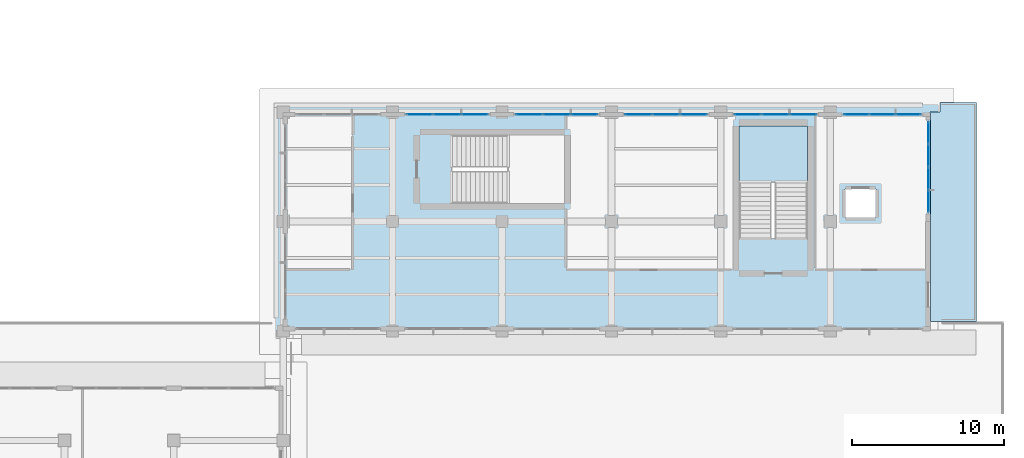
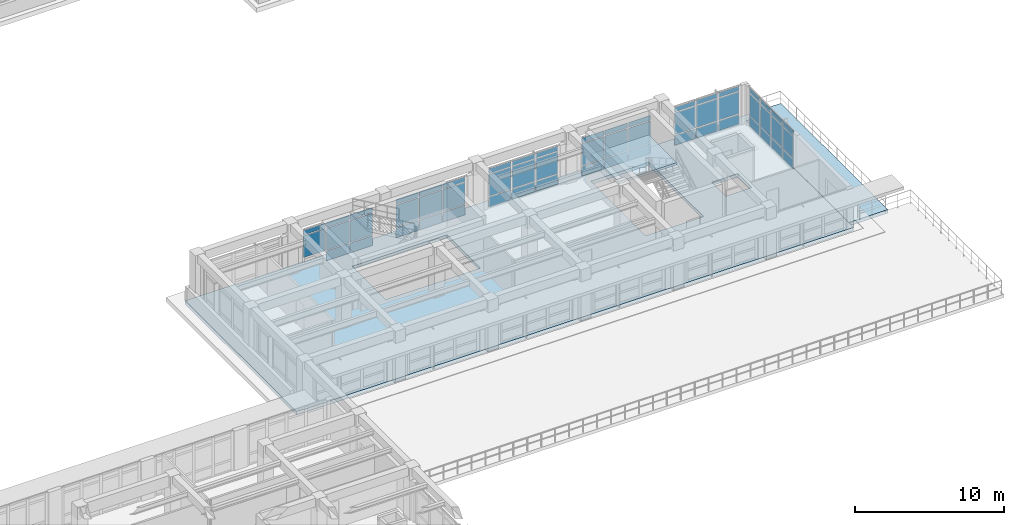
# One storey, part 40 of 67: 56 plates, 3 slabs, 7 elements without a shape of their own.
"""IFC4 building model written with IfcOpenShell, lengths in metres."""

from ifc_helpers import new_model, si_unit, direction, frame, origin, origin_2d, place, context, subcontext, project, spatial, polyline, rectangle, outline, extrude, material, layer, layer_set, type_object, element, aggregate, save


model = new_model("IFC4")

# Units and contexts
model_context = context("Model", 3, precision=1e-05, world=origin(), true_north=direction((0.0, 1.0)))
body_context = subcontext(model_context, "Body", "Model", "MODEL_VIEW")
ifc_project = project(units=[si_unit("LENGTHUNIT", "METRE"), si_unit("AREAUNIT", "SQUARE_METRE"), si_unit("VOLUMEUNIT", "CUBIC_METRE"), si_unit("PLANEANGLEUNIT", "RADIAN"), si_unit("MASSUNIT", "GRAM", prefix="KILO")], contexts=[model_context])

# Site, building, storey
site_placement = place(None, origin())
site = spatial("IfcSite", under=ifc_project, at=site_placement, CompositionType="ELEMENT")
building_placement = place(site_placement, origin())
building = spatial("IfcBuilding", under=site, at=building_placement, Name="Solenvale Faculty of Natural Sciences", CompositionType="ELEMENT")
storey_placement = place(building_placement, frame((0.0, 0.0, 13.5)))
storey = spatial("IfcBuildingStorey", under=building, at=storey_placement, Name="L03", CompositionType="ELEMENT", Elevation=13.5)

# Curtain wall, plates
ifc_material_1 = material(Name="Anodised bronze aluminium", Category="aluminium")
ifc_layer_1 = layer(ifc_material_1, 0.199951171875)
ifc_layer_set_1 = layer_set([ifc_layer_1], Name="Anodised bronze aluminium")
curtain_wall_type = type_object("IfcCurtainWallType", Name="CW-COM-FIN", PredefinedType="USERDEFINED", material=ifc_layer_set_1)
curtain_wall_1_placement = place(storey_placement, origin())
curtain_wall_1 = element("IfcCurtainWall", 1, at=curtain_wall_1_placement, inside=storey, type_object=curtain_wall_type, Name="L03 Curtain Wall CW-L03-P2-E2-B2", ObjectType="UNITISED CURTAIN WALL", PredefinedType="USERDEFINED")
ifc_material_2 = material(Name="North-light skylight glass", Category="glass")
ifc_layer_2 = layer(ifc_material_2, 0.028076171875)
ifc_layer_set_2 = layer_set([ifc_layer_2], Name="North-light skylight glass")
plate_type_1 = type_object("IfcPlateType", Name="CWP-PNL-28", PredefinedType="CURTAIN_PANEL", material=ifc_layer_set_2)
plate_1_placement = place(storey_placement, frame((157.657470703125, 51.753662109375, 0.074951171875), z_axis=(0.0, 0.0, 1.0), x_axis=(0.0, 1.0, 0.0)))
plate_1 = element("IfcPlate", 2, at=plate_1_placement, type_object=plate_type_1, Name="CW-03 panel 1.1", PredefinedType="CURTAIN_PANEL", context=body_context, shape_type="SweptSolid", body=[
    extrude(rectangle(XDim=1.3974609375, YDim=0.028076171875, at=origin_2d()), origin(), (0.0, 0.0, 1.0), 0.78759765625),
])
plate_2_placement = place(storey_placement, frame((157.657470703125, 51.753662109375, 0.9375), z_axis=(0.0, 0.0, 1.0), x_axis=(0.0, 1.0, 0.0)))
plate_2 = element("IfcPlate", 3, at=plate_2_placement, type_object=plate_type_1, Name="CW-03 panel 1.2", PredefinedType="CURTAIN_PANEL", context=body_context, shape_type="SweptSolid", body=[
    extrude(rectangle(XDim=1.3974609375, YDim=0.028076171875, at=origin_2d()), origin(), (0.0, 0.0, 1.0), 1.784912109375),
])
plate_3_placement = place(storey_placement, frame((157.657470703125, 51.753662109375, 2.79736328125), z_axis=(0.0, 0.0, 1.0), x_axis=(0.0, 1.0, 0.0)))
plate_3 = element("IfcPlate", 4, at=plate_3_placement, type_object=plate_type_1, Name="CW-03 panel 1.3", PredefinedType="CURTAIN_PANEL", context=body_context, shape_type="SweptSolid", body=[
    extrude(rectangle(XDim=1.3974609375, YDim=0.028076171875, at=origin_2d()), origin(), (0.0, 0.0, 1.0), 0.387451171875),
])
plate_4_placement = place(storey_placement, frame((157.657470703125, 53.2451171875, 0.074951171875), z_axis=(0.0, 0.0, 1.0), x_axis=(0.0, 1.0, 0.0)))
plate_4 = element("IfcPlate", 5, at=plate_4_placement, type_object=plate_type_1, Name="CW-03 panel 2.1", PredefinedType="CURTAIN_PANEL", context=body_context, shape_type="SweptSolid", body=[
    extrude(rectangle(XDim=1.43505859375, YDim=0.028076171875, at=origin_2d()), origin(), (0.0, 0.0, 1.0), 0.78759765625),
])
plate_5_placement = place(storey_placement, frame((157.657470703125, 53.2451171875, 0.9375), z_axis=(0.0, 0.0, 1.0), x_axis=(0.0, 1.0, 0.0)))
plate_5 = element("IfcPlate", 6, at=plate_5_placement, type_object=plate_type_1, Name="CW-03 panel 2.2", PredefinedType="CURTAIN_PANEL", context=body_context, shape_type="SweptSolid", body=[
    extrude(rectangle(XDim=1.43505859375, YDim=0.028076171875, at=origin_2d()), origin(), (0.0, 0.0, 1.0), 1.784912109375),
])
plate_6_placement = place(storey_placement, frame((157.657470703125, 53.2451171875, 2.79736328125), z_axis=(0.0, 0.0, 1.0), x_axis=(0.0, 1.0, 0.0)))
plate_6 = element("IfcPlate", 7, at=plate_6_placement, type_object=plate_type_1, Name="CW-03 panel 2.3", PredefinedType="CURTAIN_PANEL", context=body_context, shape_type="SweptSolid", body=[
    extrude(rectangle(XDim=1.43505859375, YDim=0.028076171875, at=origin_2d()), origin(), (0.0, 0.0, 1.0), 0.387451171875),
])
plate_7_placement = place(storey_placement, frame((157.657470703125, 54.7548828125, 0.074951171875), z_axis=(0.0, 0.0, 1.0), x_axis=(0.0, 1.0, 0.0)))
plate_7 = element("IfcPlate", 8, at=plate_7_placement, type_object=plate_type_1, Name="CW-03 panel 3.1", PredefinedType="CURTAIN_PANEL", context=body_context, shape_type="SweptSolid", body=[
    extrude(rectangle(XDim=1.43505859375, YDim=0.028076171875, at=origin_2d()), origin(), (0.0, 0.0, 1.0), 0.78759765625),
])
plate_8_placement = place(storey_placement, frame((157.657470703125, 54.7548828125, 0.9375), z_axis=(0.0, 0.0, 1.0), x_axis=(0.0, 1.0, 0.0)))
plate_8 = element("IfcPlate", 9, at=plate_8_placement, type_object=plate_type_1, Name="CW-03 panel 3.2", PredefinedType="CURTAIN_PANEL", context=body_context, shape_type="SweptSolid", body=[
    extrude(rectangle(XDim=1.43505859375, YDim=0.028076171875, at=origin_2d()), origin(), (0.0, 0.0, 1.0), 1.784912109375),
])
plate_9_placement = place(storey_placement, frame((157.657470703125, 54.7548828125, 2.79736328125), z_axis=(0.0, 0.0, 1.0), x_axis=(0.0, 1.0, 0.0)))
plate_9 = element("IfcPlate", 10, at=plate_9_placement, type_object=plate_type_1, Name="CW-03 panel 3.3", PredefinedType="CURTAIN_PANEL", context=body_context, shape_type="SweptSolid", body=[
    extrude(rectangle(XDim=1.43505859375, YDim=0.028076171875, at=origin_2d()), origin(), (0.0, 0.0, 1.0), 0.387451171875),
])
plate_10_placement = place(storey_placement, frame((157.657470703125, 56.246337890625, 0.074951171875), z_axis=(0.0, 0.0, 1.0), x_axis=(0.0, 1.0, 0.0)))
plate_10 = element("IfcPlate", 11, at=plate_10_placement, type_object=plate_type_1, Name="CW-03 panel 4.1", PredefinedType="CURTAIN_PANEL", context=body_context, shape_type="SweptSolid", body=[
    extrude(rectangle(XDim=1.3974609375, YDim=0.028076171875, at=origin_2d()), origin(), (0.0, 0.0, 1.0), 0.78759765625),
])
plate_11_placement = place(storey_placement, frame((157.657470703125, 56.246337890625, 0.9375), z_axis=(0.0, 0.0, 1.0), x_axis=(0.0, 1.0, 0.0)))
plate_11 = element("IfcPlate", 12, at=plate_11_placement, type_object=plate_type_1, Name="CW-03 panel 4.2", PredefinedType="CURTAIN_PANEL", context=body_context, shape_type="SweptSolid", body=[
    extrude(rectangle(XDim=1.3974609375, YDim=0.028076171875, at=origin_2d()), origin(), (0.0, 0.0, 1.0), 1.784912109375),
])
plate_12_placement = place(storey_placement, frame((157.657470703125, 56.246337890625, 2.79736328125), z_axis=(0.0, 0.0, 1.0), x_axis=(0.0, 1.0, 0.0)))
plate_12 = element("IfcPlate", 13, at=plate_12_placement, type_object=plate_type_1, Name="CW-03 panel 4.3", PredefinedType="CURTAIN_PANEL", context=body_context, shape_type="SweptSolid", body=[
    extrude(rectangle(XDim=1.3974609375, YDim=0.028076171875, at=origin_2d()), origin(), (0.0, 0.0, 1.0), 0.387451171875),
])
aggregate(curtain_wall_1, [plate_1, plate_2, plate_3, plate_4, plate_5, plate_6, plate_7, plate_8, plate_9, plate_10, plate_11, plate_12])

curtain_wall_2_placement = place(storey_placement, origin())
curtain_wall_2 = element("IfcCurtainWall", 14, at=curtain_wall_2_placement, inside=storey, type_object=curtain_wall_type, Name="L03 Curtain Wall CW-L03-P2-E3-B1", ObjectType="UNITISED CURTAIN WALL", PredefinedType="USERDEFINED")
plate_13_placement = place(storey_placement, frame((156.339599609375, 57.45751953125, 0.074951171875), z_axis=(0.0, 0.0, 1.0), x_axis=(-1.0, 0.0, 0.0)))
plate_13 = element("IfcPlate", 15, at=plate_13_placement, type_object=plate_type_1, Name="CW-03 panel 1.1", PredefinedType="CURTAIN_PANEL", context=body_context, shape_type="SweptSolid", body=[
    extrude(rectangle(XDim=1.61083984375, YDim=0.028076171875, at=origin_2d()), origin(), (0.0, 0.0, 1.0), 0.78759765625),
])
plate_14_placement = place(storey_placement, frame((156.339599609375, 57.45751953125, 0.9375), z_axis=(0.0, 0.0, 1.0), x_axis=(-1.0, 0.0, 0.0)))
plate_14 = element("IfcPlate", 16, at=plate_14_placement, type_object=plate_type_1, Name="CW-03 panel 1.2", PredefinedType="CURTAIN_PANEL", context=body_context, shape_type="SweptSolid", body=[
    extrude(rectangle(XDim=1.61083984375, YDim=0.028076171875, at=origin_2d()), origin(), (0.0, 0.0, 1.0), 1.784912109375),
])
plate_15_placement = place(storey_placement, frame((156.339599609375, 57.45751953125, 2.79736328125), z_axis=(0.0, 0.0, 1.0), x_axis=(-1.0, 0.0, 0.0)))
plate_15 = element("IfcPlate", 17, at=plate_15_placement, type_object=plate_type_1, Name="CW-03 panel 1.3", PredefinedType="CURTAIN_PANEL", context=body_context, shape_type="SweptSolid", body=[
    extrude(rectangle(XDim=1.61083984375, YDim=0.028076171875, at=origin_2d()), origin(), (0.0, 0.0, 1.0), 0.387451171875),
])
plate_16_placement = place(storey_placement, frame((154.635009765625, 57.45751953125, 0.074951171875), z_axis=(0.0, 0.0, 1.0), x_axis=(-1.0, 0.0, 0.0)))
plate_16 = element("IfcPlate", 18, at=plate_16_placement, type_object=plate_type_1, Name="CW-03 panel 2.1", PredefinedType="CURTAIN_PANEL", context=body_context, shape_type="SweptSolid", body=[
    extrude(rectangle(XDim=1.6484375, YDim=0.028076171875, at=origin_2d()), origin(), (0.0, 0.0, 1.0), 0.78759765625),
])
plate_17_placement = place(storey_placement, frame((154.635009765625, 57.45751953125, 0.9375), z_axis=(0.0, 0.0, 1.0), x_axis=(-1.0, 0.0, 0.0)))
plate_17 = element("IfcPlate", 19, at=plate_17_placement, type_object=plate_type_1, Name="CW-03 panel 2.2", PredefinedType="CURTAIN_PANEL", context=body_context, shape_type="SweptSolid", body=[
    extrude(rectangle(XDim=1.6484375, YDim=0.028076171875, at=origin_2d()), origin(), (0.0, 0.0, 1.0), 1.784912109375),
])
plate_18_placement = place(storey_placement, frame((154.635009765625, 57.45751953125, 2.79736328125), z_axis=(0.0, 0.0, 1.0), x_axis=(-1.0, 0.0, 0.0)))
plate_18 = element("IfcPlate", 20, at=plate_18_placement, type_object=plate_type_1, Name="CW-03 panel 2.3", PredefinedType="CURTAIN_PANEL", context=body_context, shape_type="SweptSolid", body=[
    extrude(rectangle(XDim=1.6484375, YDim=0.028076171875, at=origin_2d()), origin(), (0.0, 0.0, 1.0), 0.387451171875),
])
plate_19_placement = place(storey_placement, frame((152.930419921875, 57.45751953125, 0.074951171875), z_axis=(0.0, 0.0, 1.0), x_axis=(-1.0, 0.0, 0.0)))
plate_19 = element("IfcPlate", 21, at=plate_19_placement, type_object=plate_type_1, Name="CW-03 panel 3.1", PredefinedType="CURTAIN_PANEL", context=body_context, shape_type="SweptSolid", body=[
    extrude(rectangle(XDim=1.61083984375, YDim=0.028076171875, at=origin_2d()), origin(), (0.0, 0.0, 1.0), 0.78759765625),
])
plate_20_placement = place(storey_placement, frame((152.930419921875, 57.45751953125, 0.9375), z_axis=(0.0, 0.0, 1.0), x_axis=(-1.0, 0.0, 0.0)))
plate_20 = element("IfcPlate", 22, at=plate_20_placement, type_object=plate_type_1, Name="CW-03 panel 3.2", PredefinedType="CURTAIN_PANEL", context=body_context, shape_type="SweptSolid", body=[
    extrude(rectangle(XDim=1.61083984375, YDim=0.028076171875, at=origin_2d()), origin(), (0.0, 0.0, 1.0), 1.784912109375),
])
plate_21_placement = place(storey_placement, frame((152.930419921875, 57.45751953125, 2.79736328125), z_axis=(0.0, 0.0, 1.0), x_axis=(-1.0, 0.0, 0.0)))
plate_21 = element("IfcPlate", 23, at=plate_21_placement, type_object=plate_type_1, Name="CW-03 panel 3.3", PredefinedType="CURTAIN_PANEL", context=body_context, shape_type="SweptSolid", body=[
    extrude(rectangle(XDim=1.61083984375, YDim=0.028076171875, at=origin_2d()), origin(), (0.0, 0.0, 1.0), 0.387451171875),
])
aggregate(curtain_wall_2, [plate_13, plate_14, plate_15, plate_16, plate_17, plate_18, plate_19, plate_20, plate_21])

curtain_wall_3_placement = place(storey_placement, origin())
curtain_wall_3 = element("IfcCurtainWall", 24, at=curtain_wall_3_placement, inside=storey, type_object=curtain_wall_type, Name="L03 Curtain Wall CW-L03-P2-E3-B2", ObjectType="UNITISED CURTAIN WALL", PredefinedType="USERDEFINED")
ifc_material_3 = material(Name="Triple low-E insulated glass", Category="glass")
ifc_layer_3 = layer(ifc_material_3, 0.031982421875)
ifc_layer_set_3 = layer_set([ifc_layer_3], Name="Triple low-E insulated glass")
plate_type_2 = type_object("IfcPlateType", Name="CWP-PNL-32", PredefinedType="CURTAIN_PANEL", material=ifc_layer_set_3)
plate_22_placement = place(storey_placement, frame((149.41455078125, 57.45751953125, 0.074951171875), z_axis=(0.0, 0.0, 1.0), x_axis=(-1.0, 0.0, 0.0)))
plate_22 = element("IfcPlate", 25, at=plate_22_placement, type_object=plate_type_2, Name="CW-03 panel 1.1", PredefinedType="CURTAIN_PANEL", context=body_context, shape_type="SweptSolid", body=[
    extrude(rectangle(XDim=1.720947265625, YDim=0.031982421875, at=origin_2d()), origin(), (0.0, 0.0, 1.0), 0.78759765625),
])
plate_23_placement = place(storey_placement, frame((149.41455078125, 57.45751953125, 0.9375), z_axis=(0.0, 0.0, 1.0), x_axis=(-1.0, 0.0, 0.0)))
plate_23 = element("IfcPlate", 26, at=plate_23_placement, type_object=plate_type_2, Name="CW-03 panel 1.2", PredefinedType="CURTAIN_PANEL", context=body_context, shape_type="SweptSolid", body=[
    extrude(rectangle(XDim=1.720947265625, YDim=0.031982421875, at=origin_2d()), origin(), (0.0, 0.0, 1.0), 1.784912109375),
])
plate_24_placement = place(storey_placement, frame((149.41455078125, 57.45751953125, 2.79736328125), z_axis=(0.0, 0.0, 1.0), x_axis=(-1.0, 0.0, 0.0)))
plate_24 = element("IfcPlate", 27, at=plate_24_placement, type_object=plate_type_2, Name="CW-03 panel 1.3", PredefinedType="CURTAIN_PANEL", context=body_context, shape_type="SweptSolid", body=[
    extrude(rectangle(XDim=1.720947265625, YDim=0.031982421875, at=origin_2d()), origin(), (0.0, 0.0, 1.0), 0.387451171875),
])
plate_25_placement = place(storey_placement, frame((147.60009765625, 57.45751953125, 0.074951171875), z_axis=(0.0, 0.0, 1.0), x_axis=(-1.0, 0.0, 0.0)))
plate_25 = element("IfcPlate", 28, at=plate_25_placement, type_object=plate_type_2, Name="CW-03 panel 2.1", PredefinedType="CURTAIN_PANEL", context=body_context, shape_type="SweptSolid", body=[
    extrude(rectangle(XDim=1.75830078125, YDim=0.031982421875, at=origin_2d()), origin(), (0.0, 0.0, 1.0), 0.78759765625),
])
plate_26_placement = place(storey_placement, frame((147.60009765625, 57.45751953125, 0.9375), z_axis=(0.0, 0.0, 1.0), x_axis=(-1.0, 0.0, 0.0)))
plate_26 = element("IfcPlate", 29, at=plate_26_placement, type_object=plate_type_2, Name="CW-03 panel 2.2", PredefinedType="CURTAIN_PANEL", context=body_context, shape_type="SweptSolid", body=[
    extrude(rectangle(XDim=1.75830078125, YDim=0.031982421875, at=origin_2d()), origin(), (0.0, 0.0, 1.0), 1.784912109375),
])
plate_27_placement = place(storey_placement, frame((147.60009765625, 57.45751953125, 2.79736328125), z_axis=(0.0, 0.0, 1.0), x_axis=(-1.0, 0.0, 0.0)))
plate_27 = element("IfcPlate", 30, at=plate_27_placement, type_object=plate_type_2, Name="CW-03 panel 2.3", PredefinedType="CURTAIN_PANEL", context=body_context, shape_type="SweptSolid", body=[
    extrude(rectangle(XDim=1.75830078125, YDim=0.031982421875, at=origin_2d()), origin(), (0.0, 0.0, 1.0), 0.387451171875),
])
plate_28_placement = place(storey_placement, frame((145.785400390625, 57.45751953125, 0.074951171875), z_axis=(0.0, 0.0, 1.0), x_axis=(-1.0, 0.0, 0.0)))
plate_28 = element("IfcPlate", 31, at=plate_28_placement, type_object=plate_type_2, Name="CW-03 panel 3.1", PredefinedType="CURTAIN_PANEL", context=body_context, shape_type="SweptSolid", body=[
    extrude(rectangle(XDim=1.720947265625, YDim=0.031982421875, at=origin_2d()), origin(), (0.0, 0.0, 1.0), 0.78759765625),
])
plate_29_placement = place(storey_placement, frame((145.785400390625, 57.45751953125, 0.9375), z_axis=(0.0, 0.0, 1.0), x_axis=(-1.0, 0.0, 0.0)))
plate_29 = element("IfcPlate", 32, at=plate_29_placement, type_object=plate_type_2, Name="CW-03 panel 3.2", PredefinedType="CURTAIN_PANEL", context=body_context, shape_type="SweptSolid", body=[
    extrude(rectangle(XDim=1.720947265625, YDim=0.031982421875, at=origin_2d()), origin(), (0.0, 0.0, 1.0), 1.784912109375),
])
plate_30_placement = place(storey_placement, frame((145.785400390625, 57.45751953125, 2.79736328125), z_axis=(0.0, 0.0, 1.0), x_axis=(-1.0, 0.0, 0.0)))
plate_30 = element("IfcPlate", 33, at=plate_30_placement, type_object=plate_type_2, Name="CW-03 panel 3.3", PredefinedType="CURTAIN_PANEL", context=body_context, shape_type="SweptSolid", body=[
    extrude(rectangle(XDim=1.720947265625, YDim=0.031982421875, at=origin_2d()), origin(), (0.0, 0.0, 1.0), 0.387451171875),
])
aggregate(curtain_wall_3, [plate_22, plate_23, plate_24, plate_25, plate_26, plate_27, plate_28, plate_29, plate_30])

curtain_wall_4_placement = place(storey_placement, origin())
curtain_wall_4 = element("IfcCurtainWall", 34, at=curtain_wall_4_placement, inside=storey, type_object=curtain_wall_type, Name="L03 Curtain Wall CW-L03-P2-E3-B3", ObjectType="UNITISED CURTAIN WALL", PredefinedType="USERDEFINED")
ifc_layer_4 = layer(ifc_material_3, 0.035888671875)
ifc_layer_set_4 = layer_set([ifc_layer_4], Name="Triple low-E insulated glass")
plate_type_3 = type_object("IfcPlateType", Name="CWP-PNL-36", PredefinedType="CURTAIN_PANEL", material=ifc_layer_set_4)
plate_31_placement = place(storey_placement, frame((142.214599609375, 57.45751953125, 0.074951171875), z_axis=(0.0, 0.0, 1.0), x_axis=(-1.0, 0.0, 0.0)))
plate_31 = element("IfcPlate", 35, at=plate_31_placement, type_object=plate_type_3, Name="CW-03 panel 1.1", PredefinedType="CURTAIN_PANEL", context=body_context, shape_type="SweptSolid", body=[
    extrude(rectangle(XDim=1.720947265625, YDim=0.035888671875, at=origin_2d()), origin(), (0.0, 0.0, 1.0), 0.78759765625),
])
plate_32_placement = place(storey_placement, frame((142.214599609375, 57.45751953125, 0.9375), z_axis=(0.0, 0.0, 1.0), x_axis=(-1.0, 0.0, 0.0)))
plate_32 = element("IfcPlate", 36, at=plate_32_placement, type_object=plate_type_3, Name="CW-03 panel 1.2", PredefinedType="CURTAIN_PANEL", context=body_context, shape_type="SweptSolid", body=[
    extrude(rectangle(XDim=1.720947265625, YDim=0.035888671875, at=origin_2d()), origin(), (0.0, 0.0, 1.0), 1.784912109375),
])
plate_33_placement = place(storey_placement, frame((142.214599609375, 57.45751953125, 2.79736328125), z_axis=(0.0, 0.0, 1.0), x_axis=(-1.0, 0.0, 0.0)))
plate_33 = element("IfcPlate", 37, at=plate_33_placement, type_object=plate_type_3, Name="CW-03 panel 1.3", PredefinedType="CURTAIN_PANEL", context=body_context, shape_type="SweptSolid", body=[
    extrude(rectangle(XDim=1.720947265625, YDim=0.035888671875, at=origin_2d()), origin(), (0.0, 0.0, 1.0), 0.387451171875),
])
plate_34_placement = place(storey_placement, frame((140.39990234375, 57.45751953125, 0.074951171875), z_axis=(0.0, 0.0, 1.0), x_axis=(-1.0, 0.0, 0.0)))
plate_34 = element("IfcPlate", 38, at=plate_34_placement, type_object=plate_type_3, Name="CW-03 panel 2.1", PredefinedType="CURTAIN_PANEL", context=body_context, shape_type="SweptSolid", body=[
    extrude(rectangle(XDim=1.75830078125, YDim=0.035888671875, at=origin_2d()), origin(), (0.0, 0.0, 1.0), 0.78759765625),
])
plate_35_placement = place(storey_placement, frame((140.39990234375, 57.45751953125, 0.9375), z_axis=(0.0, 0.0, 1.0), x_axis=(-1.0, 0.0, 0.0)))
plate_35 = element("IfcPlate", 39, at=plate_35_placement, type_object=plate_type_3, Name="CW-03 panel 2.2", PredefinedType="CURTAIN_PANEL", context=body_context, shape_type="SweptSolid", body=[
    extrude(rectangle(XDim=1.75830078125, YDim=0.035888671875, at=origin_2d()), origin(), (0.0, 0.0, 1.0), 1.784912109375),
])
plate_36_placement = place(storey_placement, frame((140.39990234375, 57.45751953125, 2.79736328125), z_axis=(0.0, 0.0, 1.0), x_axis=(-1.0, 0.0, 0.0)))
plate_36 = element("IfcPlate", 40, at=plate_36_placement, type_object=plate_type_3, Name="CW-03 panel 2.3", PredefinedType="CURTAIN_PANEL", context=body_context, shape_type="SweptSolid", body=[
    extrude(rectangle(XDim=1.75830078125, YDim=0.035888671875, at=origin_2d()), origin(), (0.0, 0.0, 1.0), 0.387451171875),
])
plate_37_placement = place(storey_placement, frame((138.58544921875, 57.45751953125, 0.074951171875), z_axis=(0.0, 0.0, 1.0), x_axis=(-1.0, 0.0, 0.0)))
plate_37 = element("IfcPlate", 41, at=plate_37_placement, type_object=plate_type_3, Name="CW-03 panel 3.1", PredefinedType="CURTAIN_PANEL", context=body_context, shape_type="SweptSolid", body=[
    extrude(rectangle(XDim=1.720947265625, YDim=0.035888671875, at=origin_2d()), origin(), (0.0, 0.0, 1.0), 0.78759765625),
])
plate_38_placement = place(storey_placement, frame((138.58544921875, 57.45751953125, 0.9375), z_axis=(0.0, 0.0, 1.0), x_axis=(-1.0, 0.0, 0.0)))
plate_38 = element("IfcPlate", 42, at=plate_38_placement, type_object=plate_type_3, Name="CW-03 panel 3.2", PredefinedType="CURTAIN_PANEL", context=body_context, shape_type="SweptSolid", body=[
    extrude(rectangle(XDim=1.720947265625, YDim=0.035888671875, at=origin_2d()), origin(), (0.0, 0.0, 1.0), 1.784912109375),
])
plate_39_placement = place(storey_placement, frame((138.58544921875, 57.45751953125, 2.79736328125), z_axis=(0.0, 0.0, 1.0), x_axis=(-1.0, 0.0, 0.0)))
plate_39 = element("IfcPlate", 43, at=plate_39_placement, type_object=plate_type_3, Name="CW-03 panel 3.3", PredefinedType="CURTAIN_PANEL", context=body_context, shape_type="SweptSolid", body=[
    extrude(rectangle(XDim=1.720947265625, YDim=0.035888671875, at=origin_2d()), origin(), (0.0, 0.0, 1.0), 0.387451171875),
])
aggregate(curtain_wall_4, [plate_31, plate_32, plate_33, plate_34, plate_35, plate_36, plate_37, plate_38, plate_39])

curtain_wall_5_placement = place(storey_placement, origin())
curtain_wall_5 = element("IfcCurtainWall", 44, at=curtain_wall_5_placement, inside=storey, type_object=curtain_wall_type, Name="L03 Curtain Wall CW-L03-P2-E3-B4", ObjectType="UNITISED CURTAIN WALL", PredefinedType="USERDEFINED")
ifc_layer_5 = layer(ifc_material_3, 0.0400390625)
ifc_layer_set_5 = layer_set([ifc_layer_5], Name="Triple low-E insulated glass")
plate_type_4 = type_object("IfcPlateType", Name="CWP-PNL-40", PredefinedType="CURTAIN_PANEL", material=ifc_layer_set_5)
plate_40_placement = place(storey_placement, frame((135.0146484375, 57.45751953125, 0.074951171875), z_axis=(0.0, 0.0, 1.0), x_axis=(-1.0, 0.0, 0.0)))
plate_40 = element("IfcPlate", 45, at=plate_40_placement, type_object=plate_type_4, Name="CW-03 panel 1.1", PredefinedType="CURTAIN_PANEL", context=body_context, shape_type="SweptSolid", body=[
    extrude(rectangle(XDim=1.720947265625, YDim=0.0400390625, at=origin_2d()), origin(), (0.0, 0.0, 1.0), 0.78759765625),
])
plate_41_placement = place(storey_placement, frame((135.0146484375, 57.45751953125, 0.9375), z_axis=(0.0, 0.0, 1.0), x_axis=(-1.0, 0.0, 0.0)))
plate_41 = element("IfcPlate", 46, at=plate_41_placement, type_object=plate_type_4, Name="CW-03 panel 1.2", PredefinedType="CURTAIN_PANEL", context=body_context, shape_type="SweptSolid", body=[
    extrude(rectangle(XDim=1.720947265625, YDim=0.0400390625, at=origin_2d()), origin(), (0.0, 0.0, 1.0), 1.784912109375),
])
plate_42_placement = place(storey_placement, frame((135.0146484375, 57.45751953125, 2.79736328125), z_axis=(0.0, 0.0, 1.0), x_axis=(-1.0, 0.0, 0.0)))
plate_42 = element("IfcPlate", 47, at=plate_42_placement, type_object=plate_type_4, Name="CW-03 panel 1.3", PredefinedType="CURTAIN_PANEL", context=body_context, shape_type="SweptSolid", body=[
    extrude(rectangle(XDim=1.720947265625, YDim=0.0400390625, at=origin_2d()), origin(), (0.0, 0.0, 1.0), 0.387451171875),
])
plate_43_placement = place(storey_placement, frame((133.199951171875, 57.45751953125, 0.074951171875), z_axis=(0.0, 0.0, 1.0), x_axis=(-1.0, 0.0, 0.0)))
plate_43 = element("IfcPlate", 48, at=plate_43_placement, type_object=plate_type_4, Name="CW-03 panel 2.1", PredefinedType="CURTAIN_PANEL", context=body_context, shape_type="SweptSolid", body=[
    extrude(rectangle(XDim=1.75830078125, YDim=0.0400390625, at=origin_2d()), origin(), (0.0, 0.0, 1.0), 0.78759765625),
])
plate_44_placement = place(storey_placement, frame((133.199951171875, 57.45751953125, 0.9375), z_axis=(0.0, 0.0, 1.0), x_axis=(-1.0, 0.0, 0.0)))
plate_44 = element("IfcPlate", 49, at=plate_44_placement, type_object=plate_type_4, Name="CW-03 panel 2.2", PredefinedType="CURTAIN_PANEL", context=body_context, shape_type="SweptSolid", body=[
    extrude(rectangle(XDim=1.75830078125, YDim=0.0400390625, at=origin_2d()), origin(), (0.0, 0.0, 1.0), 1.784912109375),
])
plate_45_placement = place(storey_placement, frame((133.199951171875, 57.45751953125, 2.79736328125), z_axis=(0.0, 0.0, 1.0), x_axis=(-1.0, 0.0, 0.0)))
plate_45 = element("IfcPlate", 50, at=plate_45_placement, type_object=plate_type_4, Name="CW-03 panel 2.3", PredefinedType="CURTAIN_PANEL", context=body_context, shape_type="SweptSolid", body=[
    extrude(rectangle(XDim=1.75830078125, YDim=0.0400390625, at=origin_2d()), origin(), (0.0, 0.0, 1.0), 0.387451171875),
])
plate_46_placement = place(storey_placement, frame((131.385498046875, 57.45751953125, 0.074951171875), z_axis=(0.0, 0.0, 1.0), x_axis=(-1.0, 0.0, 0.0)))
plate_46 = element("IfcPlate", 51, at=plate_46_placement, type_object=plate_type_4, Name="CW-03 panel 3.1", PredefinedType="CURTAIN_PANEL", context=body_context, shape_type="SweptSolid", body=[
    extrude(rectangle(XDim=1.720947265625, YDim=0.0400390625, at=origin_2d()), origin(), (0.0, 0.0, 1.0), 0.78759765625),
])
plate_47_placement = place(storey_placement, frame((131.385498046875, 57.45751953125, 0.9375), z_axis=(0.0, 0.0, 1.0), x_axis=(-1.0, 0.0, 0.0)))
plate_47 = element("IfcPlate", 52, at=plate_47_placement, type_object=plate_type_4, Name="CW-03 panel 3.2", PredefinedType="CURTAIN_PANEL", context=body_context, shape_type="SweptSolid", body=[
    extrude(rectangle(XDim=1.720947265625, YDim=0.0400390625, at=origin_2d()), origin(), (0.0, 0.0, 1.0), 1.784912109375),
])
plate_48_placement = place(storey_placement, frame((131.385498046875, 57.45751953125, 2.79736328125), z_axis=(0.0, 0.0, 1.0), x_axis=(-1.0, 0.0, 0.0)))
plate_48 = element("IfcPlate", 53, at=plate_48_placement, type_object=plate_type_4, Name="CW-03 panel 3.3", PredefinedType="CURTAIN_PANEL", context=body_context, shape_type="SweptSolid", body=[
    extrude(rectangle(XDim=1.720947265625, YDim=0.0400390625, at=origin_2d()), origin(), (0.0, 0.0, 1.0), 0.387451171875),
])
aggregate(curtain_wall_5, [plate_40, plate_41, plate_42, plate_43, plate_44, plate_45, plate_46, plate_47, plate_48])

curtain_wall_6_placement = place(storey_placement, origin())
curtain_wall_6 = element("IfcCurtainWall", 54, at=curtain_wall_6_placement, inside=storey, type_object=curtain_wall_type, Name="L03 Curtain Wall CW-L03-P2-E3-B5", ObjectType="UNITISED CURTAIN WALL", PredefinedType="USERDEFINED")
ifc_layer_6 = layer(ifc_material_3, 0.0439453125)
ifc_layer_set_6 = layer_set([ifc_layer_6], Name="Triple low-E insulated glass")
plate_type_5 = type_object("IfcPlateType", Name="CWP-PNL-44", PredefinedType="CURTAIN_PANEL", material=ifc_layer_set_6)
plate_49_placement = place(storey_placement, frame((127.814697265625, 57.45751953125, 0.074951171875), z_axis=(0.0, 0.0, 1.0), x_axis=(-1.0, 0.0, 0.0)))
plate_49 = element("IfcPlate", 55, at=plate_49_placement, type_object=plate_type_5, Name="CW-03 panel 1.1", PredefinedType="CURTAIN_PANEL", context=body_context, shape_type="SweptSolid", body=[
    extrude(rectangle(XDim=1.720947265625, YDim=0.0439453125, at=origin_2d()), origin(), (0.0, 0.0, 1.0), 0.78759765625),
])
plate_50_placement = place(storey_placement, frame((127.814697265625, 57.45751953125, 0.9375), z_axis=(0.0, 0.0, 1.0), x_axis=(-1.0, 0.0, 0.0)))
plate_50 = element("IfcPlate", 56, at=plate_50_placement, type_object=plate_type_5, Name="CW-03 panel 1.2", PredefinedType="CURTAIN_PANEL", context=body_context, shape_type="SweptSolid", body=[
    extrude(rectangle(XDim=1.720947265625, YDim=0.0439453125, at=origin_2d()), origin(), (0.0, 0.0, 1.0), 1.784912109375),
])
plate_51_placement = place(storey_placement, frame((127.814697265625, 57.45751953125, 2.79736328125), z_axis=(0.0, 0.0, 1.0), x_axis=(-1.0, 0.0, 0.0)))
plate_51 = element("IfcPlate", 57, at=plate_51_placement, type_object=plate_type_5, Name="CW-03 panel 1.3", PredefinedType="CURTAIN_PANEL", context=body_context, shape_type="SweptSolid", body=[
    extrude(rectangle(XDim=1.720947265625, YDim=0.0439453125, at=origin_2d()), origin(), (0.0, 0.0, 1.0), 0.387451171875),
])
plate_52_placement = place(storey_placement, frame((126.0, 57.45751953125, 0.074951171875), z_axis=(0.0, 0.0, 1.0), x_axis=(-1.0, 0.0, 0.0)))
plate_52 = element("IfcPlate", 58, at=plate_52_placement, type_object=plate_type_5, Name="CW-03 panel 2.1", PredefinedType="CURTAIN_PANEL", context=body_context, shape_type="SweptSolid", body=[
    extrude(rectangle(XDim=1.75830078125, YDim=0.0439453125, at=origin_2d()), origin(), (0.0, 0.0, 1.0), 0.78759765625),
])
plate_53_placement = place(storey_placement, frame((126.0, 57.45751953125, 0.9375), z_axis=(0.0, 0.0, 1.0), x_axis=(-1.0, 0.0, 0.0)))
plate_53 = element("IfcPlate", 59, at=plate_53_placement, type_object=plate_type_5, Name="CW-03 panel 2.2", PredefinedType="CURTAIN_PANEL", context=body_context, shape_type="SweptSolid", body=[
    extrude(rectangle(XDim=1.75830078125, YDim=0.0439453125, at=origin_2d()), origin(), (0.0, 0.0, 1.0), 1.784912109375),
])
plate_54_placement = place(storey_placement, frame((126.0, 57.45751953125, 2.79736328125), z_axis=(0.0, 0.0, 1.0), x_axis=(-1.0, 0.0, 0.0)))
plate_54 = element("IfcPlate", 60, at=plate_54_placement, type_object=plate_type_5, Name="CW-03 panel 2.3", PredefinedType="CURTAIN_PANEL", context=body_context, shape_type="SweptSolid", body=[
    extrude(rectangle(XDim=1.75830078125, YDim=0.0439453125, at=origin_2d()), origin(), (0.0, 0.0, 1.0), 0.387451171875),
])
plate_55_placement = place(storey_placement, frame((124.185302734375, 57.45751953125, 0.9375), z_axis=(0.0, 0.0, 1.0), x_axis=(-1.0, 0.0, 0.0)))
plate_55 = element("IfcPlate", 61, at=plate_55_placement, type_object=plate_type_5, Name="CW-03 panel 3.2", PredefinedType="CURTAIN_PANEL", context=body_context, shape_type="SweptSolid", body=[
    extrude(rectangle(XDim=1.720947265625, YDim=0.0439453125, at=origin_2d()), origin(), (0.0, 0.0, 1.0), 1.784912109375),
])
plate_56_placement = place(storey_placement, frame((124.185302734375, 57.45751953125, 2.79736328125), z_axis=(0.0, 0.0, 1.0), x_axis=(-1.0, 0.0, 0.0)))
plate_56 = element("IfcPlate", 62, at=plate_56_placement, type_object=plate_type_5, Name="CW-03 panel 3.3", PredefinedType="CURTAIN_PANEL", context=body_context, shape_type="SweptSolid", body=[
    extrude(rectangle(XDim=1.720947265625, YDim=0.0439453125, at=origin_2d()), origin(), (0.0, 0.0, 1.0), 0.387451171875),
])
aggregate(curtain_wall_6, [plate_49, plate_50, plate_51, plate_52, plate_53, plate_54, plate_55, plate_56])

# Slab
ifc_material_4 = material(Name="Concrete 40 MPa", Category="concrete")
ifc_layer_7 = layer(ifc_material_4, 0.280029296875)
ifc_layer_set_7 = layer_set([ifc_layer_7], Name="Concrete 40 MPa")
slab_type_1 = type_object("IfcSlabType", Name="SL-FLR-280", PredefinedType="FLOOR", material=ifc_layer_set_7)
slab_1_placement = place(storey_placement, frame((0.0, 0.0, -0.280029296875)))
element("IfcSlab", 63, at=slab_1_placement, inside=storey, type_object=slab_type_1, Name="L03 V2 Floor Slab 1.1", PredefinedType="FLOOR", context=body_context, shape_type="SweptSolid", body=[
    extrude(outline(polyline([(114.580078125, 58.195068359375), (114.58740234375, 58.212646484375), (114.60498046875, 58.219970703125), (158.40234375, 58.218994140625), (158.419921875, 58.195068359375), (158.419921875, 57.64501953125), (158.41259765625, 57.627197265625), (158.39501953125, 57.6201171875), (157.7998046875, 57.6201171875), (157.786376953125, 57.614501953125), (157.780029296875, 57.6005859375), (157.794677734375, 57.591064453125), (157.800048828125, 57.575439453125), (157.798828125, 43.2177734375), (157.77490234375, 43.199951171875), (115.224609375, 43.199951171875), (115.208984375, 43.205322265625), (115.199462890625, 43.219970703125), (114.59765625, 43.22119140625), (114.580078125, 43.2451171875), (114.580078125, 58.195068359375)]), holes=[polyline([(152.18505859375, 50.659912109375), (154.215087890625, 50.659912109375), (154.215087890625, 52.5400390625), (152.18505859375, 52.5400390625), (152.18505859375, 50.659912109375)]), polyline([(145.199951171875, 49.340087890625), (149.699951171875, 49.340087890625), (149.699951171875, 56.699951171875), (145.199951171875, 56.699951171875), (145.199951171875, 49.340087890625)]), polyline([(126.340087890625, 51.60009765625), (133.699951171875, 51.60009765625), (133.699951171875, 56.10009765625), (126.340087890625, 56.10009765625), (126.340087890625, 51.60009765625)])]), origin(), (0.0, 0.0, 1.0), 0.280029296875),
])

# Stair, slab
stair_type = type_object("IfcStairType", Name="STR-CORE-25R", PredefinedType="DOUBLE_RETURN_STAIR", material=ifc_material_4)
stair_placement = place(storey_placement, origin())
stair = element("IfcStair", 64, at=stair_placement, inside=storey, type_object=stair_type, Name="L03 Protected Exit Stair ST-02", PredefinedType="DOUBLE_RETURN_STAIR")
ifc_layer_8 = layer(ifc_material_4, 0.195068359375)
ifc_layer_set_8 = layer_set([ifc_layer_8], Name="Concrete 40 MPa")
slab_type_2 = type_object("IfcSlabType", Name="SL-LND-195", PredefinedType="LANDING", material=ifc_layer_set_8)
slab_2_placement = place(storey_placement, frame((0.0, 0.0, 2.050048828125)))
slab_2 = element("IfcSlab", 65, at=slab_2_placement, type_object=slab_type_2, Name="ST-02 landing 1", PredefinedType="LANDING", context=body_context, shape_type="SweptSolid", body=[
    extrude(outline(polyline([(149.699951171875, 52.93994140625), (149.699951171875, 56.699951171875), (145.199951171875, 56.699951171875), (145.199951171875, 52.93994140625), (149.699951171875, 52.93994140625)])), origin(), (0.0, 0.0, 1.0), 0.199951171875),
])
aggregate(stair, [slab_2])

# Slab
ifc_material_5 = material(Name="Precast terrace paving concrete 35 MPa", Category="concrete")
ifc_layer_9 = layer(ifc_material_5, 0.280029296875)
ifc_layer_set_9 = layer_set([ifc_layer_9], Name="Precast terrace paving concrete 35 MPa")
slab_type_3 = type_object("IfcSlabType", Name="SL-TERR-280", PredefinedType="FLOOR", material=ifc_layer_set_9)
slab_3_placement = place(storey_placement, frame((0.0, 0.0, -0.280029296875)))
element("IfcSlab", 66, at=slab_3_placement, inside=storey, type_object=slab_type_3, Name="L03 Commons East Shaded Terrace 2", PredefinedType="FLOOR", context=body_context, shape_type="SweptSolid", body=[
    extrude(outline(polyline([(157.800048828125, 57.60009765625), (157.805908203125, 57.614013671875), (157.820068359375, 57.6201171875), (158.419921875, 57.6201171875), (158.419921875, 58.219970703125), (158.43603515625, 58.239501953125), (160.820068359375, 58.239990234375), (160.839599609375, 58.223876953125), (160.840087890625, 43.859619140625), (160.823974609375, 43.840087890625), (157.820068359375, 43.83984375), (157.80029296875, 43.85595703125), (157.800048828125, 57.60009765625)])), origin(), (0.0, 0.0, 1.0), 0.280029296875),
])

save(model, "model.ifc")
